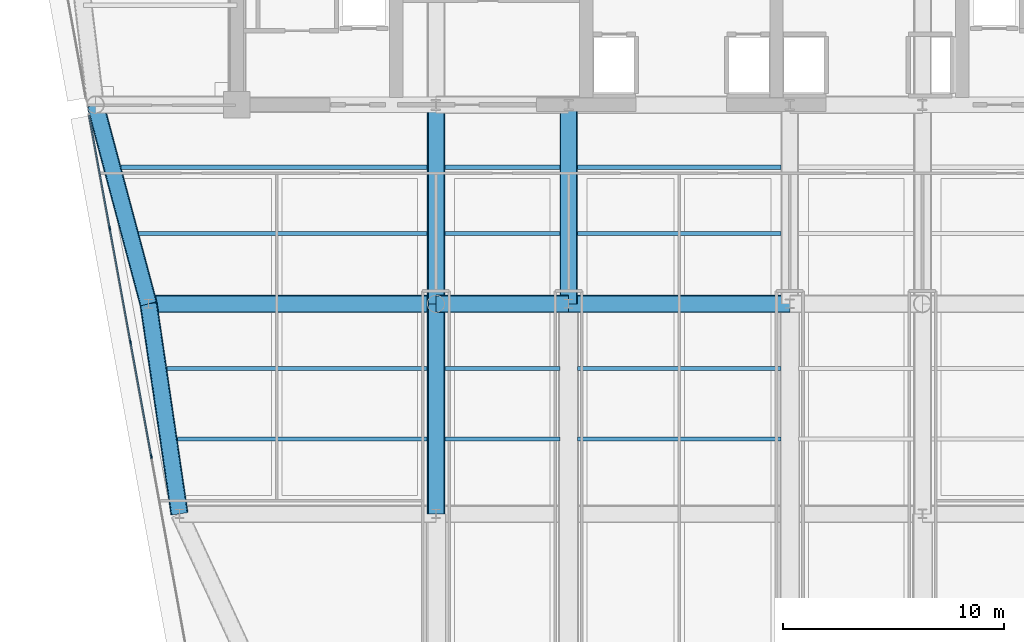
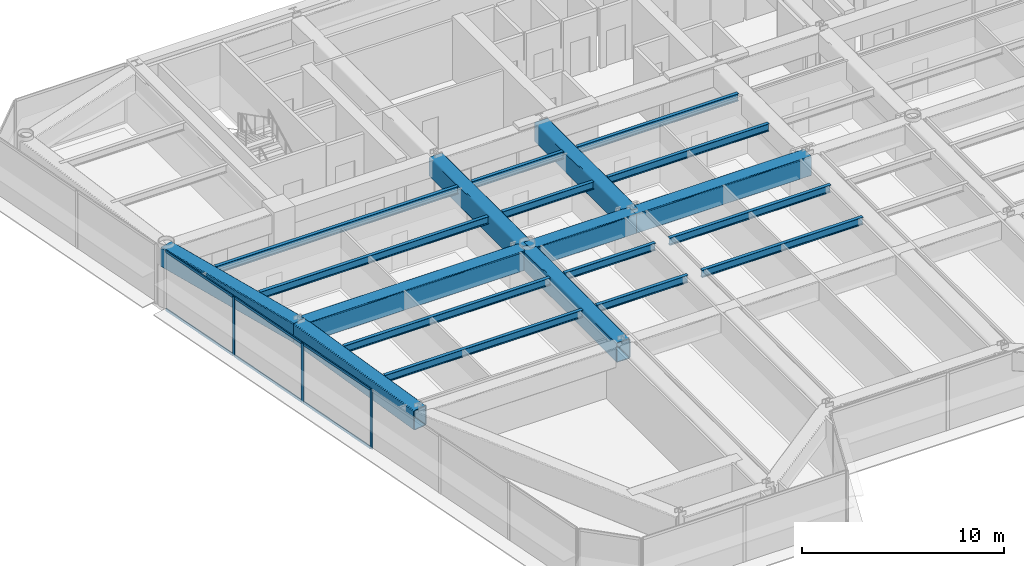
# One storey, part 4 of 17: 20 beams, 9 members, 1 element without a shape of its own.
"""IFC4 building model written with IfcOpenShell, lengths in metres."""

from ifc_helpers import new_model, si_unit, direction, frame, origin, origin_2d, place, context, subcontext, project, spatial, rectangle, hollow_rectangle, i_section, extrude, source, transform, mapped, material, layer, layer_set, material_profile, profile_set, type_object, element, aggregate, save


model = new_model("IFC4")

# Units and contexts
model_context = context("Model", 3, precision=1e-05, world=origin(), true_north=direction((0.0, 1.0)))
body_context = subcontext(model_context, "Body", "Model", "MODEL_VIEW")
ifc_project = project(units=[si_unit("LENGTHUNIT", "METRE"), si_unit("AREAUNIT", "SQUARE_METRE"), si_unit("VOLUMEUNIT", "CUBIC_METRE"), si_unit("PLANEANGLEUNIT", "RADIAN"), si_unit("MASSUNIT", "GRAM", prefix="KILO")], contexts=[model_context])

# Site, building, storey
site_placement = place(None, origin())
site = spatial("IfcSite", under=ifc_project, at=site_placement, CompositionType="ELEMENT")
building_placement = place(site_placement, origin())
building = spatial("IfcBuilding", under=site, at=building_placement, Name="Vaeldorn Concourse Tower", CompositionType="ELEMENT")
storey_placement = place(building_placement, frame((0.0, 0.0, 176.60009765625)))
storey = spatial("IfcBuildingStorey", under=building, at=storey_placement, Name="L45", CompositionType="ELEMENT", Elevation=176.60009765625)

# Beams
ifc_material_1 = material(Name="Steel S460", Category="steel")
ifc_material_profile_1 = material_profile(ifc_material_1, hollow_rectangle(XDim=0.800048828125, YDim=1.199951171875, WallThickness=0.044921875, InnerFilletRadius=0.044921875, OuterFilletRadius=0.090087890625, at=origin_2d()), Name="RHS 1200x800x45")
ifc_profile_set_1 = profile_set([ifc_material_profile_1], Name="Steel S460")
beam_type_1 = type_object("IfcBeamType", Name="BM-TG-RHS1200", PredefinedType="BEAM", material=ifc_profile_set_1)
shared_shape_1 = source(origin(), body_context, "Body", "SweptSolid", [
    extrude(hollow_rectangle(XDim=0.800048828125, YDim=1.199951171875, WallThickness=0.044921875, InnerFilletRadius=0.044921875, OuterFilletRadius=0.090087890625, at=origin_2d()), origin(), (0.0, 0.0, 1.0), 6.0),
])
beam_1_placement = place(storey_placement, frame((23.0, 27.5, 2.97998046875), z_axis=(1.0, 0.0, 0.0), x_axis=(0.0, 1.0, 0.0)))
element("IfcBeam", 1, at=beam_1_placement, inside=storey, type_object=beam_type_1, Name="Beam BM-L45-C-TW1-C-TW2", PredefinedType="BEAM", context=body_context, shape_type="MappedRepresentation", body=[
    mapped(shared_shape_1, transform((0.0, 0.0, 0.0), scale=1.0)),
])
shared_shape_2 = source(origin(), body_context, "Body", "SweptSolid", [
    extrude(hollow_rectangle(XDim=0.800048828125, YDim=1.199951171875, WallThickness=0.044921875, InnerFilletRadius=0.044921875, OuterFilletRadius=0.090087890625, at=origin_2d()), origin(), (0.0, 0.0, 1.0), 10.0),
])
beam_2_placement = place(storey_placement, frame((29.0, 27.5, 2.97998046875), z_axis=(1.0, 0.0, 0.0), x_axis=(0.0, 1.0, 0.0)))
element("IfcBeam", 2, at=beam_2_placement, inside=storey, type_object=beam_type_1, Name="Beam BM-L45-C-TW2-C-TW3", PredefinedType="BEAM", context=body_context, shape_type="MappedRepresentation", body=[
    mapped(shared_shape_2, transform((0.0, 0.0, 0.0), scale=1.0)),
])
shared_shape_3 = source(origin(), body_context, "Body", "SweptSolid", [
    extrude(hollow_rectangle(XDim=0.800048828125, YDim=1.199951171875, WallThickness=0.044921875, InnerFilletRadius=0.044921875, OuterFilletRadius=0.090087890625, at=origin_2d()), origin(), (0.0, 0.0, 1.0), 9.0),
])
for number, where, z_axis, x_axis, name in (
    (3, (23.0, 27.5, 2.97998046875), (0.0, 1.0, 0.0), (-1.0, 0.0, 0.0), "Beam BM-L45-C-TW1-C-FC2"),
    (4, (29.0, 27.5, 2.97998046875), (0.0, 1.0, 0.0), (-1.0, 0.0, 0.0), "Beam BM-L45-C-TW2-C-FC3"),
):
    element("IfcBeam", number, at=place(storey_placement, frame(where, z_axis=z_axis, x_axis=x_axis)), inside=storey, type_object=beam_type_1, Name=name, PredefinedType="BEAM", context=body_context, shape_type="MappedRepresentation", body=[
        mapped(shared_shape_3, transform((0.0, 0.0, 0.0), scale=1.0)),
    ])
shared_shape_4 = source(origin(), body_context, "Body", "SweptSolid", [
    extrude(hollow_rectangle(XDim=0.800048828125, YDim=1.199951171875, WallThickness=0.044921875, InnerFilletRadius=0.044921875, OuterFilletRadius=0.090087890625, at=origin_2d()), origin(), (0.0, 0.0, 1.0), 13.0),
])
beam_3_placement = place(storey_placement, frame((10.0, 27.5, 2.97998046875), z_axis=(1.0, 0.0, 0.0), x_axis=(0.0, 1.0, 0.0)))
element("IfcBeam", 5, at=beam_3_placement, inside=storey, type_object=beam_type_1, Name="Beam BM-L45-C-FLW1-C-TW1", PredefinedType="BEAM", context=body_context, shape_type="MappedRepresentation", body=[
    mapped(shared_shape_4, transform((0.0, 0.0, 0.0), scale=1.0)),
])
shared_shape_5 = source(origin(), body_context, "Body", "SweptSolid", [
    extrude(hollow_rectangle(XDim=0.800048828125, YDim=1.199951171875, WallThickness=0.044921875, InnerFilletRadius=0.044921875, OuterFilletRadius=0.090087890625, at=origin_2d()), origin(), (0.0, 0.0, 1.0), 9.314453125),
])
beam_4_placement = place(storey_placement, frame((7.60009765625, 36.5, 2.97998046875), z_axis=(0.257652862255, -0.966237549763, 0.0), x_axis=(0.966237549763, 0.257652862255, 0.0)))
element("IfcBeam", 6, at=beam_4_placement, inside=storey, type_object=beam_type_1, Name="Beam BM-L45-C-NW2-C-FLW1", PredefinedType="BEAM", context=body_context, shape_type="MappedRepresentation", body=[
    mapped(shared_shape_5, transform((0.0, 0.0, 0.0), scale=1.0)),
])
shared_shape_6 = source(origin(), body_context, "Body", "SweptSolid", [
    extrude(hollow_rectangle(XDim=0.800048828125, YDim=1.199951171875, WallThickness=0.044921875, InnerFilletRadius=0.044921875, OuterFilletRadius=0.090087890625, at=origin_2d()), origin(), (0.0, 0.0, 1.0), 9.6025390625),
])
beam_5_placement = place(storey_placement, frame((10.0, 27.5, 2.97998046875), z_axis=(0.145783835977, -0.989316467652, 0.0), x_axis=(0.989316467652, 0.145783835977, 0.0)))
element("IfcBeam", 7, at=beam_5_placement, inside=storey, type_object=beam_type_1, Name="Beam BM-L45-C-FLW1-C-FLW2", PredefinedType="BEAM", context=body_context, shape_type="MappedRepresentation", body=[
    mapped(shared_shape_6, transform((0.0, 0.0, 0.0), scale=1.0)),
])
shared_shape_7 = source(origin(), body_context, "Body", "SweptSolid", [
    extrude(hollow_rectangle(XDim=0.800048828125, YDim=1.199951171875, WallThickness=0.044921875, InnerFilletRadius=0.044921875, OuterFilletRadius=0.090087890625, at=origin_2d()), origin(), (0.0, 0.0, 1.0), 9.5),
])
beam_6_placement = place(storey_placement, frame((23.0, 18.0, 2.97998046875), z_axis=(0.0, 1.0, 0.0), x_axis=(-1.0, 0.0, 0.0)))
element("IfcBeam", 8, at=beam_6_placement, inside=storey, type_object=beam_type_1, Name="Beam BM-L45-C-TW5-C-TW1", PredefinedType="BEAM", context=body_context, shape_type="MappedRepresentation", body=[
    mapped(shared_shape_7, transform((0.0, 0.0, 0.0), scale=1.0)),
])
ifc_material_2 = material(Name="Steel S355", Category="steel")
ifc_material_profile_2 = material_profile(ifc_material_2, i_section(OverallWidth=0.18994140625, OverallDepth=0.449951171875, WebThickness=0.009521484375, FlangeThickness=0.0146484375, FilletRadius=0.02099609375, at=origin_2d()), Name="IPE 450")
ifc_profile_set_2 = profile_set([ifc_material_profile_2], Name="Steel S355")
beam_type_2 = type_object("IfcBeamType", Name="BM-JS-IPE450", PredefinedType="JOIST", material=ifc_profile_set_2)
shared_shape_8 = source(origin(), body_context, "Body", "SweptSolid", [
    extrude(i_section(OverallWidth=0.18994140625, OverallDepth=0.449951171875, WebThickness=0.009521484375, FlangeThickness=0.0146484375, FilletRadius=0.02099609375, at=origin_2d()), origin(), (0.0, 0.0, 1.0), 5.2001953125),
])
for number, where, z_axis, x_axis, name in (
    (9, (23.39990234375, 21.3798828125, 3.35498046875), (1.0, 0.0, 0.0), (0.0, 1.0, 0.0), "Beam JS-L45-W2-213"),
    (10, (23.39990234375, 24.580078125, 3.35498046875), (1.0, 0.0, 0.0), (0.0, 1.0, 0.0), "Beam JS-L45-W2-245"),
    (11, (23.39990234375, 30.679931640625, 3.35498046875), (1.0, 0.0, 0.0), (0.0, 1.0, 0.0), "Beam JS-L45-W2-306"),
    (12, (23.39990234375, 33.679931640625, 3.35498046875), (1.0, 0.0, 0.0), (0.0, 1.0, 0.0), "Beam JS-L45-W2-336"),
):
    element("IfcBeam", number, at=place(storey_placement, frame(where, z_axis=z_axis, x_axis=x_axis)), inside=storey, type_object=beam_type_2, Name=name, PredefinedType="JOIST", context=body_context, shape_type="MappedRepresentation", body=[
        mapped(shared_shape_8, transform((0.0, 0.0, 0.0), scale=1.0)),
    ])
shared_shape_9 = source(origin(), body_context, "Body", "SweptSolid", [
    extrude(i_section(OverallWidth=0.18994140625, OverallDepth=0.449951171875, WebThickness=0.009521484375, FlangeThickness=0.0146484375, FilletRadius=0.02099609375, at=origin_2d()), origin(), (0.0, 0.0, 1.0), 9.2001953125),
])
for number, where, z_axis, x_axis, name in (
    (13, (29.39990234375, 21.3798828125, 3.35498046875), (1.0, 0.0, 0.0), (0.0, 1.0, 0.0), "Beam JS-L45-C-213"),
    (14, (29.39990234375, 24.580078125, 3.35498046875), (1.0, 0.0, 0.0), (0.0, 1.0, 0.0), "Beam JS-L45-C-245"),
    (15, (29.39990234375, 30.679931640625, 3.35498046875), (1.0, 0.0, 0.0), (0.0, 1.0, 0.0), "Beam JS-L45-C-306"),
    (16, (29.39990234375, 33.679931640625, 3.35498046875), (1.0, 0.0, 0.0), (0.0, 1.0, 0.0), "Beam JS-L45-C-336"),
):
    element("IfcBeam", number, at=place(storey_placement, frame(where, z_axis=z_axis, x_axis=x_axis)), inside=storey, type_object=beam_type_2, Name=name, PredefinedType="JOIST", context=body_context, shape_type="MappedRepresentation", body=[
        mapped(shared_shape_9, transform((0.0, 0.0, 0.0), scale=1.0)),
    ])
shared_shape_10 = source(origin(), body_context, "Body", "SweptSolid", [
    extrude(i_section(OverallWidth=0.18994140625, OverallDepth=0.449951171875, WebThickness=0.009521484375, FlangeThickness=0.0146484375, FilletRadius=0.02099609375, at=origin_2d()), origin(), (0.0, 0.0, 1.0), 11.298095703125),
])
beam_7_placement = place(storey_placement, frame((11.302001953125, 21.3798828125, 3.35498046875), z_axis=(1.0, 0.0, 0.0), x_axis=(0.0, 1.0, 0.0)))
element("IfcBeam", 17, at=beam_7_placement, inside=storey, type_object=beam_type_2, Name="Beam JS-L45-W1-213", PredefinedType="JOIST", context=body_context, shape_type="MappedRepresentation", body=[
    mapped(shared_shape_10, transform((0.0, 0.0, 0.0), scale=1.0)),
])
shared_shape_11 = source(origin(), body_context, "Body", "SweptSolid", [
    extrude(i_section(OverallWidth=0.18994140625, OverallDepth=0.449951171875, WebThickness=0.009521484375, FlangeThickness=0.0146484375, FilletRadius=0.02099609375, at=origin_2d()), origin(), (0.0, 0.0, 1.0), 11.769775390625),
])
beam_8_placement = place(storey_placement, frame((10.830322265625, 24.580078125, 3.35498046875), z_axis=(1.0, 0.0, 0.0), x_axis=(0.0, 1.0, 0.0)))
element("IfcBeam", 18, at=beam_8_placement, inside=storey, type_object=beam_type_2, Name="Beam JS-L45-W1-245", PredefinedType="JOIST", context=body_context, shape_type="MappedRepresentation", body=[
    mapped(shared_shape_11, transform((0.0, 0.0, 0.0), scale=1.0)),
])
shared_shape_12 = source(origin(), body_context, "Body", "SweptSolid", [
    extrude(i_section(OverallWidth=0.18994140625, OverallDepth=0.449951171875, WebThickness=0.009521484375, FlangeThickness=0.0146484375, FilletRadius=0.02099609375, at=origin_2d()), origin(), (0.0, 0.0, 1.0), 13.048095703125),
])
beam_9_placement = place(storey_placement, frame((9.552001953125, 30.679931640625, 3.35498046875), z_axis=(1.0, 0.0, 0.0), x_axis=(0.0, 1.0, 0.0)))
element("IfcBeam", 19, at=beam_9_placement, inside=storey, type_object=beam_type_2, Name="Beam JS-L45-W1-306", PredefinedType="JOIST", context=body_context, shape_type="MappedRepresentation", body=[
    mapped(shared_shape_12, transform((0.0, 0.0, 0.0), scale=1.0)),
])
shared_shape_13 = source(origin(), body_context, "Body", "SweptSolid", [
    extrude(i_section(OverallWidth=0.18994140625, OverallDepth=0.449951171875, WebThickness=0.009521484375, FlangeThickness=0.0146484375, FilletRadius=0.02099609375, at=origin_2d()), origin(), (0.0, 0.0, 1.0), 13.84814453125),
])
beam_10_placement = place(storey_placement, frame((8.751953125, 33.679931640625, 3.35498046875), z_axis=(1.0, 0.0, 0.0), x_axis=(0.0, 1.0, 0.0)))
element("IfcBeam", 20, at=beam_10_placement, inside=storey, type_object=beam_type_2, Name="Beam JS-L45-W1-336", PredefinedType="JOIST", context=body_context, shape_type="MappedRepresentation", body=[
    mapped(shared_shape_13, transform((0.0, 0.0, 0.0), scale=1.0)),
])

# Curtain wall, members
ifc_material_3 = material(Name="Anodised Bronze Aluminium", Category="aluminium")
ifc_layer = layer(ifc_material_3, 0.18994140625)
ifc_layer_set = layer_set([ifc_layer], Name="Anodised Bronze Aluminium")
curtain_wall_type = type_object("IfcCurtainWallType", Name="CW-SYS-03", PredefinedType="NOTDEFINED", material=ifc_layer_set)
curtain_wall_placement = place(storey_placement, origin())
curtain_wall = element("IfcCurtainWall", 21, at=curtain_wall_placement, inside=storey, type_object=curtain_wall_type, Name="Unitised Curtain Wall CW-L45-E11-2", PredefinedType="NOTDEFINED")
ifc_material_profile_3 = material_profile(ifc_material_3, rectangle(XDim=0.06494140625, YDim=0.169921875, at=origin_2d()), Name="CWM 65x170")
ifc_profile_set_3 = profile_set([ifc_material_profile_3], Name="Anodised Bronze Aluminium")
member_type_1 = type_object("IfcMemberType", Name="CWM-BRONZE-170", PredefinedType="MULLION", material=ifc_profile_set_3)
shared_shape_14 = source(origin(), body_context, "Body", "SweptSolid", [
    extrude(rectangle(XDim=0.06494140625, YDim=0.169921875, at=origin_2d()), origin(), (0.0, 0.0, 1.0), 3.579833984375),
])
member_1_placement = place(storey_placement, frame((8.243408203125, 30.919677734375, 0.0), z_axis=(0.0, 0.0, 1.0), x_axis=(0.983767841325, 0.179445909331, 0.0)))
member_1 = element("IfcMember", 22, at=member_1_placement, type_object=member_type_1, Name="CW-03 mullion 2", PredefinedType="MULLION", context=body_context, shape_type="MappedRepresentation", body=[
    mapped(shared_shape_14, transform((0.0, 0.0, 0.0), scale=1.0)),
])
member_2_placement = place(storey_placement, frame((9.185302734375, 25.755615234375, 0.0), z_axis=(0.0, 0.0, 1.0), x_axis=(0.983767841325, 0.179445909331, 0.0)))
member_2 = element("IfcMember", 23, at=member_2_placement, type_object=member_type_1, Name="CW-03 mullion 3", PredefinedType="MULLION", context=body_context, shape_type="MappedRepresentation", body=[
    mapped(shared_shape_14, transform((0.0, 0.0, 0.0), scale=1.0)),
])
member_3_placement = place(storey_placement, frame((10.127197265625, 20.591796875, 0.0), z_axis=(0.0, 0.0, 1.0), x_axis=(0.983767841325, 0.179445909331, 0.0)))
member_3 = element("IfcMember", 24, at=member_3_placement, type_object=member_type_1, Name="CW-03 mullion 4", PredefinedType="MULLION", context=body_context, shape_type="MappedRepresentation", body=[
    mapped(shared_shape_14, transform((0.0, 0.0, 0.0), scale=1.0)),
])
ifc_material_profile_4 = material_profile(ifc_material_3, rectangle(XDim=0.06494140625, YDim=0.14990234375, at=origin_2d()), Name="CWT 65x150")
ifc_profile_set_4 = profile_set([ifc_material_profile_4], Name="Anodised Bronze Aluminium")
member_type_2 = type_object("IfcMemberType", Name="CWT-BRONZE-150", PredefinedType="USERDEFINED", material=ifc_profile_set_4)
shared_shape_15 = source(origin(), body_context, "Body", "SweptSolid", [
    extrude(rectangle(XDim=0.06494140625, YDim=0.14990234375, at=origin_2d()), origin(), (0.0, 0.0, 1.0), 5.151611328125),
])
member_4_placement = place(storey_placement, frame((7.31298828125, 36.01953125, 0.032470703125), z_axis=(0.179473445995, -0.983762818053, 0.0), x_axis=(0.983762818053, 0.179473445995, 0.0)))
member_4 = element("IfcMember", 25, at=member_4_placement, type_object=member_type_2, Name="CW-03 transom 1.1", ObjectType="TRANSOM", PredefinedType="USERDEFINED", context=body_context, shape_type="MappedRepresentation", body=[
    mapped(shared_shape_15, transform((0.0, 0.0, 0.0), scale=1.0)),
])
member_5_placement = place(storey_placement, frame((7.31298828125, 36.01953125, 3.54736328125), z_axis=(0.179473445995, -0.983762818053, 0.0), x_axis=(0.983762818053, 0.179473445995, 0.0)))
member_5 = element("IfcMember", 26, at=member_5_placement, type_object=member_type_2, Name="CW-03 transom 1.2", ObjectType="TRANSOM", PredefinedType="USERDEFINED", context=body_context, shape_type="MappedRepresentation", body=[
    mapped(shared_shape_15, transform((0.0, 0.0, 0.0), scale=1.0)),
])
shared_shape_16 = source(origin(), body_context, "Body", "SweptSolid", [
    extrude(rectangle(XDim=0.06494140625, YDim=0.14990234375, at=origin_2d()), origin(), (0.0, 0.0, 1.0), 5.18408203125),
])
member_6_placement = place(storey_placement, frame((9.191162109375, 25.7236328125, 0.032470703125), z_axis=(0.179432467646, -0.983770293084, 0.0), x_axis=(0.983770293084, 0.179432467646, 0.0)))
member_6 = element("IfcMember", 27, at=member_6_placement, type_object=member_type_2, Name="CW-03 transom 3.1", ObjectType="TRANSOM", PredefinedType="USERDEFINED", context=body_context, shape_type="MappedRepresentation", body=[
    mapped(shared_shape_16, transform((0.0, 0.0, 0.0), scale=1.0)),
])
member_7_placement = place(storey_placement, frame((9.191162109375, 25.7236328125, 3.54736328125), z_axis=(0.179432467646, -0.983770293084, 0.0), x_axis=(0.983770293084, 0.179432467646, 0.0)))
member_7 = element("IfcMember", 28, at=member_7_placement, type_object=member_type_2, Name="CW-03 transom 3.2", ObjectType="TRANSOM", PredefinedType="USERDEFINED", context=body_context, shape_type="MappedRepresentation", body=[
    mapped(shared_shape_16, transform((0.0, 0.0, 0.0), scale=1.0)),
])
shared_shape_17 = source(origin(), body_context, "Body", "SweptSolid", [
    extrude(rectangle(XDim=0.06494140625, YDim=0.14990234375, at=origin_2d()), origin(), (0.0, 0.0, 1.0), 5.184326171875),
])
member_8_placement = place(storey_placement, frame((8.249267578125, 30.8876953125, 0.032470703125), z_axis=(0.179424154775, -0.983771809254, 0.0), x_axis=(0.983771809254, 0.179424154775, 0.0)))
member_8 = element("IfcMember", 29, at=member_8_placement, type_object=member_type_2, Name="CW-03 transom 2.1", ObjectType="TRANSOM", PredefinedType="USERDEFINED", context=body_context, shape_type="MappedRepresentation", body=[
    mapped(shared_shape_17, transform((0.0, 0.0, 0.0), scale=1.0)),
])
member_9_placement = place(storey_placement, frame((8.249267578125, 30.8876953125, 3.54736328125), z_axis=(0.179424154775, -0.983771809254, 0.0), x_axis=(0.983771809254, 0.179424154775, 0.0)))
member_9 = element("IfcMember", 30, at=member_9_placement, type_object=member_type_2, Name="CW-03 transom 2.2", ObjectType="TRANSOM", PredefinedType="USERDEFINED", context=body_context, shape_type="MappedRepresentation", body=[
    mapped(shared_shape_17, transform((0.0, 0.0, 0.0), scale=1.0)),
])
aggregate(curtain_wall, [member_1, member_2, member_3, member_4, member_5, member_8, member_9, member_6, member_7])

save(model, "model.ifc")
